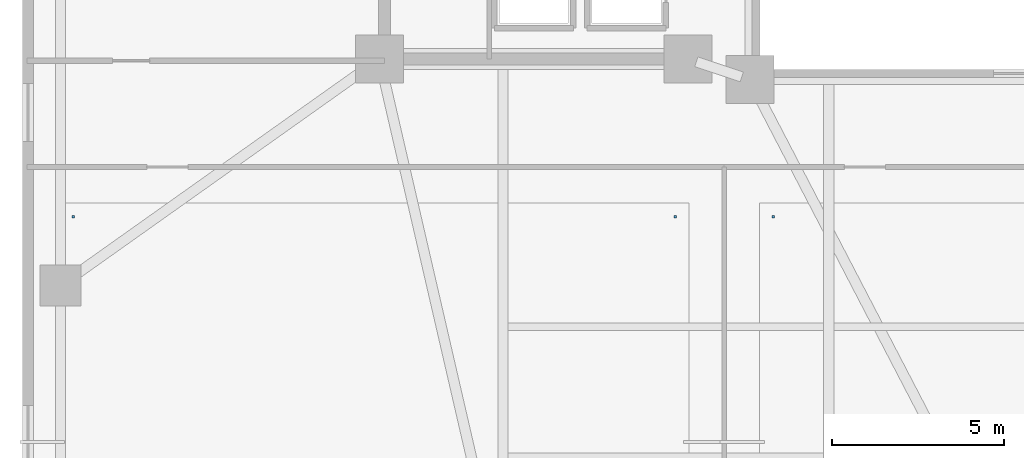
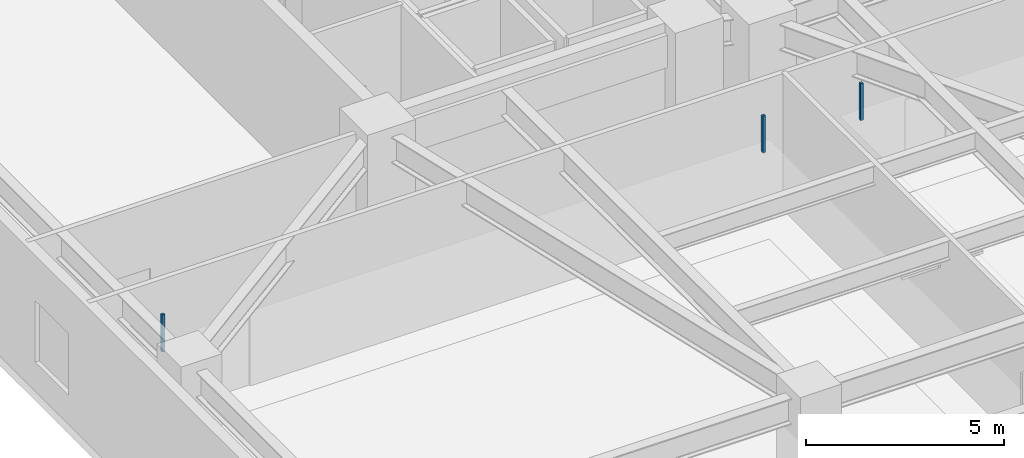
# One storey, part 15 of 22: 3 discrete accessories.
"""IFC4 building model written with IfcOpenShell, lengths in metres."""

from ifc_helpers import new_model, si_unit, direction, frame, origin, origin_2d, place, context, subcontext, project, spatial, rectangle, extrude, material, type_object, element, save


model = new_model("IFC4")

# Units and contexts
model_context = context("Model", 3, precision=1e-05, world=origin(), true_north=direction((0.0, 1.0)))
body_context = subcontext(model_context, "Body", "Model", "MODEL_VIEW")
ifc_project = project(units=[si_unit("LENGTHUNIT", "METRE"), si_unit("AREAUNIT", "SQUARE_METRE"), si_unit("VOLUMEUNIT", "CUBIC_METRE"), si_unit("PLANEANGLEUNIT", "RADIAN"), si_unit("MASSUNIT", "GRAM", prefix="KILO")], contexts=[model_context])

# Site, building, storey
site_placement = place(None, origin())
site = spatial("IfcSite", under=ifc_project, at=site_placement, CompositionType="ELEMENT")
building_placement = place(site_placement, origin())
building = spatial("IfcBuilding", under=site, at=building_placement, Name="Tarnavaz Court Tower", CompositionType="ELEMENT")
storey_placement = place(building_placement, frame((0.0, 0.0, 14.39990234375)))
storey = spatial("IfcBuildingStorey", under=building, at=storey_placement, Name="L03", CompositionType="ELEMENT", Elevation=14.39990234375)

# Discrete accessories
ifc_material = material(Name="Anodised Aluminium 6063-T6", Category="aluminium")
discrete_accessory_type = type_object("IfcDiscreteAccessoryType", Name="DA-BRKT-ALU", PredefinedType="BRACKET", material=ifc_material)
for number, where, z_axis, x_axis, name in (
    (1, (-9.97998046875, -11.800048828125, 3.09033203125), (0.0, 0.0, 1.0), (1.0, 0.0, 0.0), "L03 Ceiling Suspension Hanger Bracket 03-3"),
    (2, (-27.530029296875, -11.800048828125, 3.09033203125), (0.0, 0.0, 1.0), (1.0, 0.0, 0.0), "L03 Ceiling Suspension Hanger Bracket 03-4"),
    (3, (-7.1201171875, -11.800048828125, 3.09033203125), (0.0, 0.0, 1.0), (1.0, 0.0, 0.0), "L03 Ceiling Suspension Hanger Bracket 04-4"),
):
    element("IfcDiscreteAccessory", number, at=place(storey_placement, frame(where, z_axis=z_axis, x_axis=x_axis)), inside=storey, type_object=discrete_accessory_type, Name=name, PredefinedType="BRACKET", context=body_context, shape_type="SweptSolid", body=[
        extrude(rectangle(XDim=0.080078125, YDim=0.080078125, at=origin_2d()), origin(), (0.0, 0.0, 1.0), 1.139892578125),
    ])

save(model, "model.ifc")
